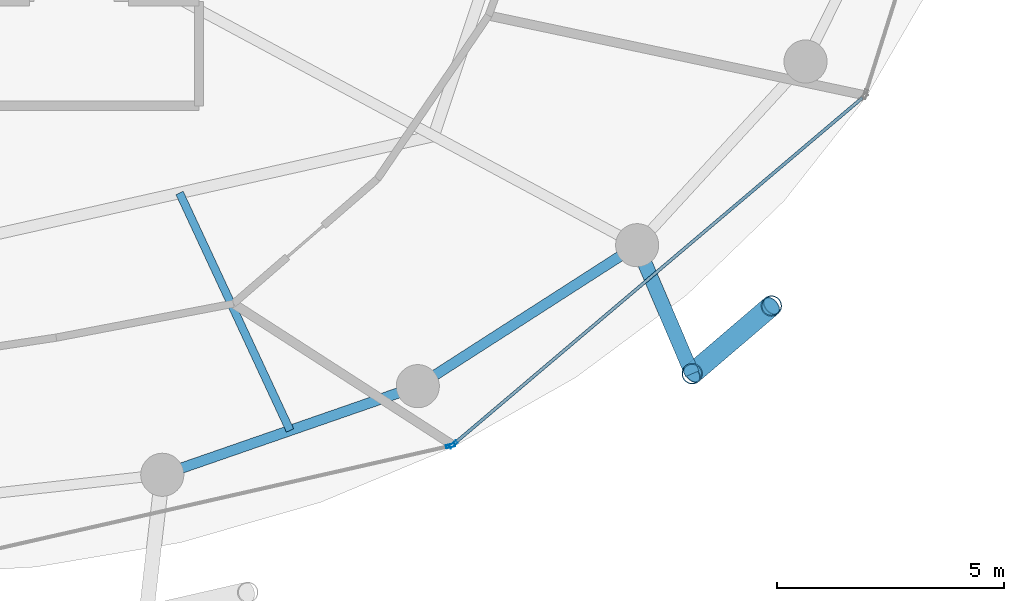
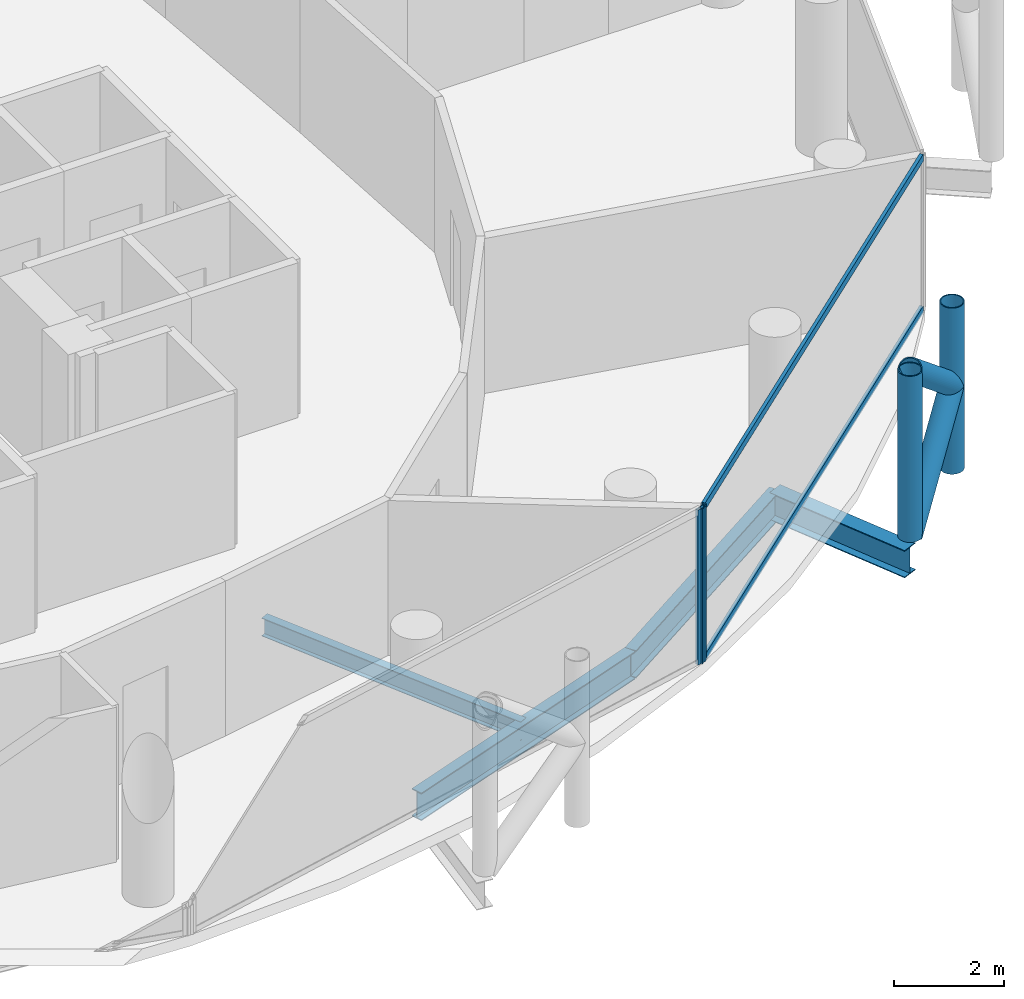
# One storey, part 8 of 26: 8 members, 4 beams, 2 elements without a shape of their own.
"""IFC4 building model written with IfcOpenShell, lengths in metres."""

from ifc_helpers import new_model, si_unit, direction, frame, origin, origin_2d, place, context, subcontext, project, spatial, hollow_rectangle, hollow_circle, i_section, extrude, material, layer, layer_set, material_profile, profile_set, type_object, element, aggregate, save


model = new_model("IFC4")

# Units and contexts
model_context = context("Model", 3, precision=1e-05, world=origin(), true_north=direction((0.0, 1.0)))
body_context = subcontext(model_context, "Body", "Model", "MODEL_VIEW")
ifc_project = project(units=[si_unit("LENGTHUNIT", "METRE"), si_unit("AREAUNIT", "SQUARE_METRE"), si_unit("VOLUMEUNIT", "CUBIC_METRE"), si_unit("PLANEANGLEUNIT", "RADIAN"), si_unit("MASSUNIT", "GRAM", prefix="KILO")], contexts=[model_context])

# Site, building, storey
site_placement = place(None, origin())
site = spatial("IfcSite", under=ifc_project, at=site_placement, CompositionType="ELEMENT")
building_placement = place(site_placement, origin())
building = spatial("IfcBuilding", under=site, at=building_placement, Name="Nuhasar Tower", CompositionType="ELEMENT")
storey_placement = place(building_placement, frame((0.0, 0.0, 177.449951171875)))
storey = spatial("IfcBuildingStorey", under=building, at=storey_placement, Name="L43", CompositionType="ELEMENT", Elevation=177.449951171875)

# Beams
ifc_material_1 = material(Name="Steel S355", Category="steel")
ifc_material_profile_1 = material_profile(ifc_material_1, i_section(OverallWidth=0.177978515625, OverallDepth=0.406005859375, WebThickness=0.0078125, FlangeThickness=0.0126953125, at=origin_2d()), Name="W16X40")
ifc_profile_set_1 = profile_set([ifc_material_profile_1], Name="Steel S355")
beam_type_1 = type_object("IfcBeamType", Name="BM-JST-W16X40", PredefinedType="JOIST", material=ifc_profile_set_1)
beam_1_placement = place(storey_placement, frame((45.424072265625, 14.1279296875, -0.452880859375), z_axis=(0.421729941201, -0.906721487941, 0.0), x_axis=(0.906721487941, 0.421729941201, 0.0)))
element("IfcBeam", 1, at=beam_1_placement, inside=storey, type_object=beam_type_1, Name="L43 Secondary Floor Joist 02", PredefinedType="JOIST", context=body_context, shape_type="SweptSolid", body=[
    extrude(i_section(OverallWidth=0.177978515625, OverallDepth=0.406005859375, WebThickness=0.0078125, FlangeThickness=0.0126953125, at=origin_2d()), origin(), (0.0, 0.0, 1.0), 5.7734375),
])
ifc_material_profile_2 = material_profile(ifc_material_1, i_section(OverallWidth=0.22998046875, OverallDepth=0.616943359375, WebThickness=0.01318359375, FlangeThickness=0.022216796875, at=origin_2d()), Name="W24X94")
ifc_profile_set_2 = profile_set([ifc_material_profile_2], Name="Steel S355")
beam_type_2 = type_object("IfcBeamType", Name="BM-RING-W24X94", PredefinedType="SPANDREL", material=ifc_profile_set_2)
beam_2_placement = place(storey_placement, frame((45.04296875, 7.916015625, -0.558837890625), z_axis=(0.944814057608, 0.327607076458, 0.0), x_axis=(-0.327607076458, 0.944814057608, 0.0)))
element("IfcBeam", 2, at=beam_2_placement, inside=storey, type_object=beam_type_2, Name="L43 Perimeter Ring Spandrel 20", PredefinedType="SPANDREL", context=body_context, shape_type="SweptSolid", body=[
    extrude(i_section(OverallWidth=0.22998046875, OverallDepth=0.616943359375, WebThickness=0.01318359375, FlangeThickness=0.022216796875, at=origin_2d()), origin(), (0.0, 0.0, 1.0), 5.9609375),
])
beam_3_placement = place(storey_placement, frame((50.675048828125, 9.868896484375, -0.558837890625), z_axis=(0.841308170616, 0.540555789955, 0.0), x_axis=(-0.540555789955, 0.841308170616, 0.0)))
element("IfcBeam", 3, at=beam_3_placement, inside=storey, type_object=beam_type_2, Name="L43 Perimeter Ring Spandrel 21", PredefinedType="SPANDREL", context=body_context, shape_type="SweptSolid", body=[
    extrude(i_section(OverallWidth=0.22998046875, OverallDepth=0.616943359375, WebThickness=0.01318359375, FlangeThickness=0.022216796875, at=origin_2d()), origin(), (0.0, 0.0, 1.0), 5.748046875),
])
ifc_material_profile_3 = material_profile(ifc_material_1, i_section(OverallWidth=0.323974609375, OverallDepth=0.611083984375, WebThickness=0.0126953125, FlangeThickness=0.01904296875, at=origin_2d()), Name="W24X104")
ifc_profile_set_3 = profile_set([ifc_material_profile_3], Name="Steel S355")
beam_type_3 = type_object("IfcBeamType", Name="BM-TIE-W24X104", PredefinedType="BEAM", material=ifc_profile_set_3)
beam_4_placement = place(storey_placement, frame((55.510986328125, 12.97607421875, -0.555908203125), z_axis=(0.39330721304, -0.919407111225, 0.0), x_axis=(0.919407111225, 0.39330721304, 0.0)))
element("IfcBeam", 4, at=beam_4_placement, inside=storey, type_object=beam_type_3, Name="L43 Exoskeleton Node Tie Beam 11", PredefinedType="BEAM", context=body_context, shape_type="SweptSolid", body=[
    extrude(i_section(OverallWidth=0.323974609375, OverallDepth=0.611083984375, WebThickness=0.0126953125, FlangeThickness=0.01904296875, at=origin_2d()), origin(), (0.0, 0.0, 1.0), 3.081298828125),
])

# Curtain wall, member
ifc_material_2 = material(Name="Aluminium 6063-T6", Category="aluminium")
ifc_layer = layer(ifc_material_2, 0.199951171875)
ifc_layer_set = layer_set([ifc_layer], Name="Aluminium 6063-T6")
curtain_wall_type = type_object("IfcCurtainWallType", Name="CW-Z2-HTL", PredefinedType="NOTDEFINED", material=ifc_layer_set)
curtain_wall_1_placement = place(storey_placement, origin())
curtain_wall_1 = element("IfcCurtainWall", 5, at=curtain_wall_1_placement, inside=storey, type_object=curtain_wall_type, Name="L43 Unitised Curtain Wall 10", PredefinedType="NOTDEFINED")
ifc_material_profile_4 = material_profile(ifc_material_2, hollow_rectangle(XDim=0.070068359375, YDim=0.199951171875, WallThickness=0.0048828125, at=origin_2d()), Name="CWM-3")
ifc_profile_set_4 = profile_set([ifc_material_profile_4], Name="Aluminium 6063-T6")
member_type_1 = type_object("IfcMemberType", Name="CW-MUL-S3", PredefinedType="MULLION", material=ifc_profile_set_4)
member_1_placement = place(storey_placement, frame((51.395751953125, 8.55419921875, 0.0), z_axis=(0.0, 0.0, 1.0), x_axis=(-0.22139729566, 0.975183694221, 0.0)))
member_1 = element("IfcMember", 6, at=member_1_placement, type_object=member_type_1, Name="CW-Z2 mullion 2", PredefinedType="MULLION", context=body_context, shape_type="SweptSolid", body=[
    extrude(hollow_rectangle(XDim=0.070068359375, YDim=0.199951171875, WallThickness=0.0048828125, at=origin_2d()), origin(), (0.0, 0.0, 1.0), 3.449951171875),
])
aggregate(curtain_wall_1, [member_1])

# Curtain wall, members
curtain_wall_2_placement = place(storey_placement, origin())
curtain_wall_2 = element("IfcCurtainWall", 7, at=curtain_wall_2_placement, inside=storey, type_object=curtain_wall_type, Name="L43 Unitised Curtain Wall 11", PredefinedType="NOTDEFINED")
member_2_placement = place(storey_placement, frame((51.456787109375, 8.584716796875, 0.0), z_axis=(0.0, 0.0, 1.0), x_axis=(-0.646374438324, 0.763020370292, 0.0)))
member_2 = element("IfcMember", 8, at=member_2_placement, type_object=member_type_1, Name="CW-Z2 mullion 1", PredefinedType="MULLION", context=body_context, shape_type="SweptSolid", body=[
    extrude(hollow_rectangle(XDim=0.070068359375, YDim=0.199951171875, WallThickness=0.0048828125, at=origin_2d()), origin(), (0.0, 0.0, 1.0), 3.449951171875),
])
ifc_material_profile_5 = material_profile(ifc_material_2, hollow_rectangle(XDim=0.070068359375, YDim=0.159912109375, WallThickness=0.00439453125, at=origin_2d()), Name="CWT-3")
ifc_profile_set_5 = profile_set([ifc_material_profile_5], Name="Aluminium 6063-T6")
member_type_2 = type_object("IfcMemberType", Name="CW-TRN-S3", PredefinedType="USERDEFINED", material=ifc_profile_set_5)
member_3_placement = place(storey_placement, frame((51.4833984375, 8.607177734375, 0.03515625), z_axis=(0.763013698099, 0.646382314511, 0.0), x_axis=(-0.646382314511, 0.763013698099, 0.0)))
member_3 = element("IfcMember", 9, at=member_3_placement, type_object=member_type_2, Name="CW-Z2 transom 1.1", ObjectType="TRANSOM", PredefinedType="USERDEFINED", context=body_context, shape_type="SweptSolid", body=[
    extrude(hollow_rectangle(XDim=0.070068359375, YDim=0.159912109375, WallThickness=0.00439453125, at=origin_2d()), origin(), (0.0, 0.0, 1.0), 11.78515625),
])
member_4_placement = place(storey_placement, frame((51.4833984375, 8.607177734375, 3.4150390625), z_axis=(0.763013698099, 0.646382314511, 0.0), x_axis=(-0.646382314511, 0.763013698099, 0.0)))
member_4 = element("IfcMember", 10, at=member_4_placement, type_object=member_type_2, Name="CW-Z2 transom 1.2", ObjectType="TRANSOM", PredefinedType="USERDEFINED", context=body_context, shape_type="SweptSolid", body=[
    extrude(hollow_rectangle(XDim=0.070068359375, YDim=0.159912109375, WallThickness=0.00439453125, at=origin_2d()), origin(), (0.0, 0.0, 1.0), 11.78515625),
])
aggregate(curtain_wall_2, [member_2, member_3, member_4])

# Members
ifc_material_3 = material(Name="Steel S460", Category="steel")
ifc_material_profile_6 = material_profile(ifc_material_3, hollow_circle(Radius=0.228515625, WallThickness=0.022216796875, at=origin_2d()), Name="HSS457X22.2")
ifc_profile_set_6 = profile_set([ifc_material_profile_6], Name="Steel S460")
member_type_3 = type_object("IfcMemberType", Name="EXO-BRONZE-457", PredefinedType="BRACE", material=ifc_profile_set_6)
for number, where, z_axis, x_axis, name in (
    (11, (56.722900390625, 10.14306640625, 0.0), (0.0, 0.0, 1.0), (1.0, 0.0, 0.0), "L43 Exoskeleton Chord Column EC-11A"),
    (12, (58.470947265625, 11.637939453125, 0.0), (0.0, 0.0, 1.0), (1.0, 0.0, 0.0), "L43 Exoskeleton Chord Column EC-11B"),
):
    element("IfcMember", number, at=place(storey_placement, frame(where, z_axis=z_axis, x_axis=x_axis)), inside=storey, type_object=member_type_3, Name=name, PredefinedType="BRACE", context=body_context, shape_type="SweptSolid", body=[
        extrude(hollow_circle(Radius=0.228515625, WallThickness=0.022216796875, at=origin_2d()), origin(), (0.0, 0.0, 1.0), 3.699951171875),
    ])
member_5_placement = place(storey_placement, frame((56.722900390625, 10.14306640625, 0.0), z_axis=(0.592195175458, 0.506426125604, 0.626767463634), x_axis=(-0.649925557156, 0.7599978751, 0.0)))
element("IfcMember", 13, at=member_5_placement, inside=storey, type_object=member_type_3, Name="L43 Bronze Diagrid Brace W1-11", PredefinedType="BRACE", context=body_context, shape_type="SweptSolid", body=[
    extrude(hollow_circle(Radius=0.228515625, WallThickness=0.022216796875, at=origin_2d()), origin(), (0.0, 0.0, 1.0), 2.951904296875),
])
member_6_placement = place(storey_placement, frame((58.470947265625, 11.637939453125, 1.85009765625), z_axis=(-0.592225874743, -0.506452378638, 0.626717242029), x_axis=(0.649925557156, -0.7599978751, 0.0)))
element("IfcMember", 14, at=member_6_placement, inside=storey, type_object=member_type_3, Name="L43 Bronze Diagrid Brace W2-11", PredefinedType="BRACE", context=body_context, shape_type="SweptSolid", body=[
    extrude(hollow_circle(Radius=0.228515625, WallThickness=0.022216796875, at=origin_2d()), origin(), (0.0, 0.0, 1.0), 2.95166015625),
])

save(model, "model.ifc")
